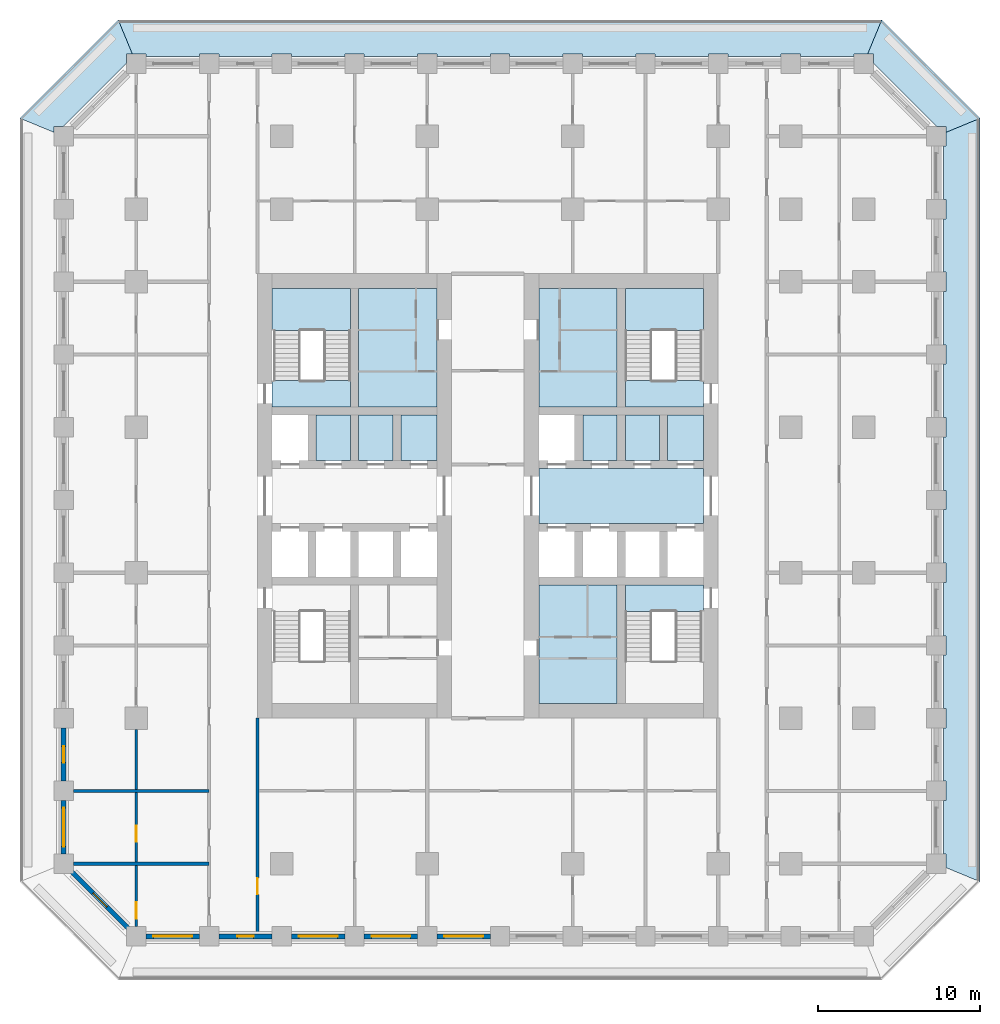
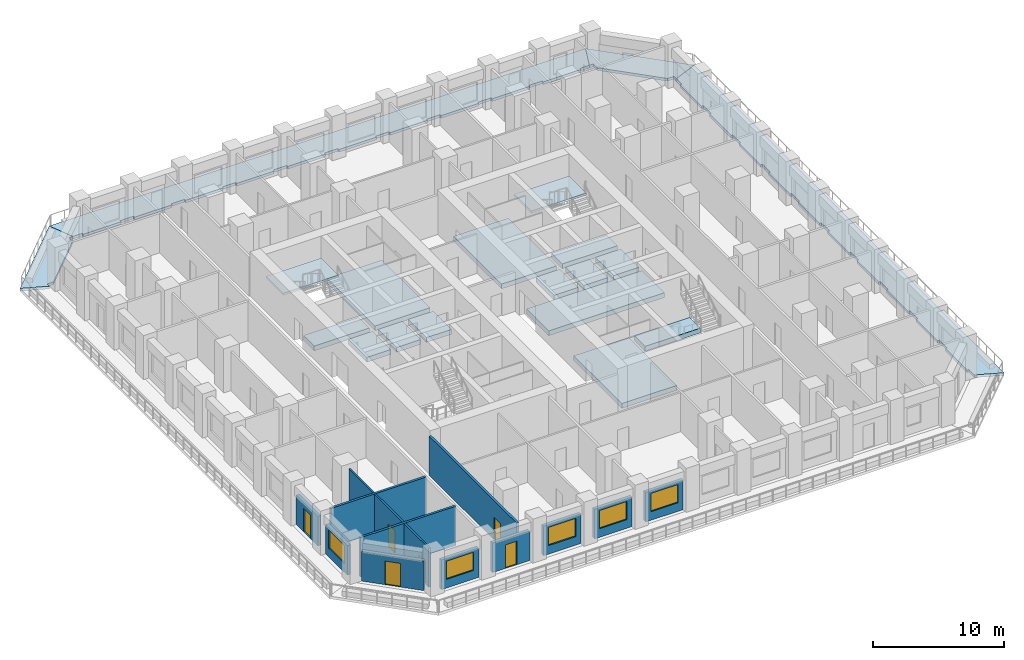
# One storey, part 2 of 18: 19 slabs, 12 walls, 6 doors, 5 windows, 11 openings, 2 elements without a shape of their own.
"""IFC4 building model written with IfcOpenShell, lengths in metres."""

from ifc_helpers import new_model, si_unit, direction, frame, frame_2d, origin, place, context, subcontext, project, spatial, polyline, rectangle, outline, extrude, material, layer, layer_set, type_object, element, fill, aggregate, save


model = new_model("IFC4")

# Units and contexts
model_context = context("Model", 3, precision=1e-05, world=origin(), true_north=direction((0.0, 1.0)))
body_context = subcontext(model_context, "Body", "Model", "MODEL_VIEW")
ifc_project = project(units=[si_unit("LENGTHUNIT", "METRE"), si_unit("AREAUNIT", "SQUARE_METRE"), si_unit("VOLUMEUNIT", "CUBIC_METRE"), si_unit("PLANEANGLEUNIT", "RADIAN"), si_unit("MASSUNIT", "GRAM", prefix="KILO")], contexts=[model_context])

# Site, building, storey
site_placement = place(None, origin())
site = spatial("IfcSite", under=ifc_project, at=site_placement, CompositionType="ELEMENT")
building_placement = place(site_placement, origin())
building = spatial("IfcBuilding", under=site, at=building_placement, Name="Corbel Stack Research Tower", CompositionType="ELEMENT")
storey_placement = place(building_placement, frame((0.0, 0.0, 102.5)))
storey = spatial("IfcBuildingStorey", under=building, at=storey_placement, Name="L23", CompositionType="ELEMENT", Elevation=102.5)

# Slabs
ifc_material_1 = material(Name="Concrete C45/55", Category="concrete")
ifc_layer_1 = layer(ifc_material_1, 0.25)
ifc_layer_set_1 = layer_set([ifc_layer_1], Name="Concrete C45/55")
slab_type_1 = type_object("IfcSlabType", Name="PT balcony slab 250 C45/55", PredefinedType="FLOOR", material=ifc_layer_set_1)
slab_1_placement = place(storey_placement, frame((0.0, 0.0, -0.25)))
element("IfcSlab", 1, at=slab_1_placement, inside=storey, type_object=slab_type_1, Name="Loggia slab L23 E", PredefinedType="FLOOR", context=body_context, shape_type="SweptSolid", body=[
    extrude(outline(polyline([(32.10009765625, 27.24853515625), (32.10009765625, 26.39990234375), (31.949951171875, 26.39990234375), (31.949951171875, 23.10009765625), (32.10009765625, 23.10009765625), (32.10009765625, 21.89990234375), (31.949951171875, 21.89990234375), (31.949951171875, 18.60009765625), (32.10009765625, 18.60009765625), (32.10009765625, 17.39990234375), (31.949951171875, 17.39990234375), (31.949951171875, 14.10009765625), (32.10009765625, 14.10009765625), (32.10009765625, 12.89990234375), (31.949951171875, 12.89990234375), (31.949951171875, 9.60009765625), (32.10009765625, 9.60009765625), (32.10009765625, 8.39990234375), (31.949951171875, 8.39990234375), (31.949951171875, 5.10009765625), (32.10009765625, 5.10009765625), (32.10009765625, 3.89990234375), (31.949951171875, 3.89990234375), (31.949951171875, 0.60009765625), (32.10009765625, 0.60009765625), (32.10009765625, -0.60009765625), (31.949951171875, -0.60009765625), (31.949951171875, -3.89990234375), (32.10009765625, -3.89990234375), (32.10009765625, -5.10009765625), (31.949951171875, -5.10009765625), (31.949951171875, -8.39990234375), (32.10009765625, -8.39990234375), (32.10009765625, -9.60009765625), (31.949951171875, -9.60009765625), (31.949951171875, -12.89990234375), (32.10009765625, -12.89990234375), (32.10009765625, -14.10009765625), (31.949951171875, -14.10009765625), (31.949951171875, -17.39990234375), (32.10009765625, -17.39990234375), (32.10009765625, -18.24853515625), (34.199951171875, -19.118408203125), (34.199951171875, 28.118408203125), (32.10009765625, 27.24853515625)])), origin(), (0.0, 0.0, 1.0), 0.25),
])
slab_2_placement = place(storey_placement, frame((0.0, 0.0, -0.25)))
element("IfcSlab", 2, at=slab_2_placement, inside=storey, type_object=slab_type_1, Name="Loggia slab L23 NE", PredefinedType="FLOOR", context=body_context, shape_type="SweptSolid", body=[
    extrude(outline(polyline([(27.24853515625, 32.10009765625), (27.60009765625, 32.10009765625), (27.60009765625, 31.536376953125), (31.536376953125, 27.60009765625), (32.10009765625, 27.60009765625), (32.10009765625, 27.24853515625), (34.199951171875, 28.118408203125), (28.118408203125, 34.199951171875), (27.24853515625, 32.10009765625)])), origin(), (0.0, 0.0, 1.0), 0.25),
])
slab_3_placement = place(storey_placement, frame((0.0, 0.0, -0.25)))
element("IfcSlab", 3, at=slab_3_placement, inside=storey, type_object=slab_type_1, Name="Loggia slab L23 N", PredefinedType="FLOOR", context=body_context, shape_type="SweptSolid", body=[
    extrude(outline(polyline([(-18.24853515625, 32.10009765625), (-17.39990234375, 32.10009765625), (-17.39990234375, 31.949951171875), (-14.10009765625, 31.949951171875), (-14.10009765625, 32.10009765625), (-12.89990234375, 32.10009765625), (-12.89990234375, 31.949951171875), (-9.60009765625, 31.949951171875), (-9.60009765625, 32.10009765625), (-8.39990234375, 32.10009765625), (-8.39990234375, 31.949951171875), (-5.10009765625, 31.949951171875), (-5.10009765625, 32.10009765625), (-3.89990234375, 32.10009765625), (-3.89990234375, 31.949951171875), (-0.60009765625, 31.949951171875), (-0.60009765625, 32.10009765625), (0.60009765625, 32.10009765625), (0.60009765625, 31.949951171875), (3.89990234375, 31.949951171875), (3.89990234375, 32.10009765625), (5.10009765625, 32.10009765625), (5.10009765625, 31.949951171875), (8.39990234375, 31.949951171875), (8.39990234375, 32.10009765625), (9.60009765625, 32.10009765625), (9.60009765625, 31.949951171875), (12.89990234375, 31.949951171875), (12.89990234375, 32.10009765625), (14.10009765625, 32.10009765625), (14.10009765625, 31.949951171875), (17.39990234375, 31.949951171875), (17.39990234375, 32.10009765625), (18.60009765625, 32.10009765625), (18.60009765625, 31.949951171875), (21.89990234375, 31.949951171875), (21.89990234375, 32.10009765625), (23.10009765625, 32.10009765625), (23.10009765625, 31.949951171875), (26.39990234375, 31.949951171875), (26.39990234375, 32.10009765625), (27.24853515625, 32.10009765625), (28.118408203125, 34.199951171875), (-19.118408203125, 34.199951171875), (-18.24853515625, 32.10009765625)])), origin(), (0.0, 0.0, 1.0), 0.25),
])
slab_4_placement = place(storey_placement, frame((0.0, 0.0, -0.25)))
element("IfcSlab", 4, at=slab_4_placement, inside=storey, type_object=slab_type_1, Name="Loggia slab L23 NW", PredefinedType="FLOOR", context=body_context, shape_type="SweptSolid", body=[
    extrude(outline(polyline([(-23.10009765625, 27.24853515625), (-23.10009765625, 27.60009765625), (-22.536376953125, 27.60009765625), (-18.60009765625, 31.536376953125), (-18.60009765625, 32.10009765625), (-18.24853515625, 32.10009765625), (-19.118408203125, 34.199951171875), (-25.199951171875, 28.118408203125), (-23.10009765625, 27.24853515625)])), origin(), (0.0, 0.0, 1.0), 0.25),
])
ifc_material_2 = material(Name="Concrete C45/55", Category="concrete")
ifc_layer_2 = layer(ifc_material_2, 0.449951171875)
ifc_layer_set_2 = layer_set([ifc_layer_2], Name="Concrete C45/55")
slab_type_2 = type_object("IfcSlabType", Name="PT-450", PredefinedType="FLOOR", material=ifc_layer_set_2)
slab_5_placement = place(storey_placement, frame((0.0, 0.0, -0.449951171875)))
element("IfcSlab", 5, at=slab_5_placement, inside=storey, type_object=slab_type_2, Name="West core floor L23", PredefinedType="FLOOR", context=body_context, shape_type="SweptSolid", body=[
    extrude(outline(polyline([(-6.875, 6.949951171875), (-4.75, 6.949951171875), (-4.75, 9.75), (-6.875, 9.75), (-6.875, 6.949951171875)])), origin(), (0.0, 0.0, 1.0), 0.449951171875),
])
slab_6_placement = place(storey_placement, frame((0.0, 0.0, -0.449951171875)))
element("IfcSlab", 6, at=slab_6_placement, inside=storey, type_object=slab_type_2, Name="West core floor L23", PredefinedType="FLOOR", context=body_context, shape_type="SweptSolid", body=[
    extrude(outline(polyline([(-2.125, 6.949951171875), (-2.125, 9.75), (-4.25, 9.75), (-4.25, 6.949951171875), (-2.125, 6.949951171875)])), origin(), (0.0, 0.0, 1.0), 0.449951171875),
])
slab_7_placement = place(storey_placement, frame((0.0, 0.0, -0.449951171875)))
element("IfcSlab", 7, at=slab_7_placement, inside=storey, type_object=slab_type_2, Name="West core floor L23", PredefinedType="FLOOR", context=body_context, shape_type="SweptSolid", body=[
    extrude(outline(polyline([(0.60009765625, 17.60009765625), (-4.25, 17.60009765625), (-4.25, 10.25), (0.60009765625, 10.25), (0.60009765625, 17.60009765625)])), origin(), (0.0, 0.0, 1.0), 0.449951171875),
])
slab_8_placement = place(storey_placement, frame((0.0, 0.0, -0.449951171875)))
element("IfcSlab", 8, at=slab_8_placement, inside=storey, type_object=slab_type_2, Name="West core floor L23", PredefinedType="FLOOR", context=body_context, shape_type="SweptSolid", body=[
    extrude(outline(polyline([(0.60009765625, 9.75), (-1.625, 9.75), (-1.625, 6.949951171875), (0.60009765625, 6.949951171875), (0.60009765625, 9.75)])), origin(), (0.0, 0.0, 1.0), 0.449951171875),
])
slab_9_placement = place(storey_placement, frame((0.0, 0.0, -0.449951171875)))
element("IfcSlab", 9, at=slab_9_placement, inside=storey, type_object=slab_type_2, Name="East core floor L23", PredefinedType="FLOOR", context=body_context, shape_type="SweptSolid", body=[
    extrude(outline(polyline([(11.75, -0.75), (6.89990234375, -0.75), (6.89990234375, -8.10009765625), (11.75, -8.10009765625), (11.75, -0.75)])), origin(), (0.0, 0.0, 1.0), 0.449951171875),
])
slab_10_placement = place(storey_placement, frame((0.0, 0.0, -0.449951171875)))
element("IfcSlab", 10, at=slab_10_placement, inside=storey, type_object=slab_type_2, Name="East core floor L23", PredefinedType="FLOOR", context=body_context, shape_type="SweptSolid", body=[
    extrude(outline(polyline([(6.89990234375, 6.449951171875), (6.89990234375, 3.050048828125), (17.10009765625, 3.050048828125), (17.10009765625, 6.449951171875), (6.89990234375, 6.449951171875)])), origin(), (0.0, 0.0, 1.0), 0.449951171875),
])
slab_11_placement = place(storey_placement, frame((0.0, 0.0, -0.449951171875)))
element("IfcSlab", 11, at=slab_11_placement, inside=storey, type_object=slab_type_2, Name="East core floor L23", PredefinedType="FLOOR", context=body_context, shape_type="SweptSolid", body=[
    extrude(outline(polyline([(6.89990234375, 17.60009765625), (6.89990234375, 10.25), (11.75, 10.25), (11.75, 17.60009765625), (6.89990234375, 17.60009765625)])), origin(), (0.0, 0.0, 1.0), 0.449951171875),
])
slab_12_placement = place(storey_placement, frame((0.0, 0.0, -0.449951171875)))
element("IfcSlab", 12, at=slab_12_placement, inside=storey, type_object=slab_type_2, Name="East core floor L23", PredefinedType="FLOOR", context=body_context, shape_type="SweptSolid", body=[
    extrude(outline(polyline([(9.625, 6.949951171875), (11.75, 6.949951171875), (11.75, 9.75), (9.625, 9.75), (9.625, 6.949951171875)])), origin(), (0.0, 0.0, 1.0), 0.449951171875),
])
slab_13_placement = place(storey_placement, frame((0.0, 0.0, -0.449951171875)))
element("IfcSlab", 13, at=slab_13_placement, inside=storey, type_object=slab_type_2, Name="East core floor L23", PredefinedType="FLOOR", context=body_context, shape_type="SweptSolid", body=[
    extrude(outline(polyline([(14.375, 6.949951171875), (14.375, 9.75), (12.25, 9.75), (12.25, 6.949951171875), (14.375, 6.949951171875)])), origin(), (0.0, 0.0, 1.0), 0.449951171875),
])
slab_14_placement = place(storey_placement, frame((0.0, 0.0, -0.449951171875)))
element("IfcSlab", 14, at=slab_14_placement, inside=storey, type_object=slab_type_2, Name="East core floor L23", PredefinedType="FLOOR", context=body_context, shape_type="SweptSolid", body=[
    extrude(outline(polyline([(17.10009765625, 6.949951171875), (17.10009765625, 9.75), (14.875, 9.75), (14.875, 6.949951171875), (17.10009765625, 6.949951171875)])), origin(), (0.0, 0.0, 1.0), 0.449951171875),
])
slab_15_placement = place(storey_placement, frame((0.0, 0.0, -0.449951171875)))
element("IfcSlab", 15, at=slab_15_placement, inside=storey, type_object=slab_type_2, Name="Stair floor landing ST-W2", PredefinedType="FLOOR", context=body_context, shape_type="SweptSolid", body=[
    extrude(outline(polyline([(-9.60009765625, 10.25), (-4.75, 10.25), (-4.75, 11.89990234375), (-9.60009765625, 11.89990234375), (-9.60009765625, 10.25)])), origin(), (0.0, 0.0, 1.0), 0.449951171875),
])
slab_16_placement = place(storey_placement, frame((0.0, 0.0, -0.449951171875)))
element("IfcSlab", 16, at=slab_16_placement, inside=storey, type_object=slab_type_2, Name="Stair floor landing ST-E1", PredefinedType="FLOOR", context=body_context, shape_type="SweptSolid", body=[
    extrude(outline(polyline([(12.25, -2.39990234375), (17.10009765625, -2.39990234375), (17.10009765625, -0.75), (12.25, -0.75), (12.25, -2.39990234375)])), origin(), (0.0, 0.0, 1.0), 0.449951171875),
])
slab_17_placement = place(storey_placement, frame((0.0, 0.0, -0.449951171875)))
element("IfcSlab", 17, at=slab_17_placement, inside=storey, type_object=slab_type_2, Name="Stair floor landing ST-E2", PredefinedType="FLOOR", context=body_context, shape_type="SweptSolid", body=[
    extrude(outline(polyline([(12.25, 10.25), (17.10009765625, 10.25), (17.10009765625, 11.89990234375), (12.25, 11.89990234375), (12.25, 10.25)])), origin(), (0.0, 0.0, 1.0), 0.449951171875),
])

# Stair, slab
ifc_material_3 = material(Name="Concrete C40/50", Category="concrete")
stair_type = type_object("IfcStairType", Name="Exit stair 24 risers", PredefinedType="HALF_TURN_STAIR", material=ifc_material_3)
stair_1_placement = place(storey_placement, origin())
stair_1 = element("IfcStair", 18, at=stair_1_placement, inside=storey, type_object=stair_type, Name="L23 Exit stair ST-W2", PredefinedType="HALF_TURN_STAIR")
ifc_material_4 = material(Name="Concrete C40/50", Category="concrete")
ifc_layer_3 = layer(ifc_material_4, 0.199951171875)
ifc_layer_set_3 = layer_set([ifc_layer_3], Name="Concrete C40/50")
slab_type_3 = type_object("IfcSlabType", Name="Stair landing 200 C40/50", PredefinedType="LANDING", material=ifc_layer_set_3)
slab_18_placement = place(storey_placement, frame((0.0, 0.0, 1.85009765625)))
slab_18 = element("IfcSlab", 19, at=slab_18_placement, type_object=slab_type_3, Name="ST-W2 landing 1", PredefinedType="LANDING", context=body_context, shape_type="SweptSolid", body=[
    extrude(outline(polyline([(-9.60009765625, 14.97998046875), (-9.60009765625, 17.60009765625), (-4.75, 17.60009765625), (-4.75, 14.97998046875), (-9.60009765625, 14.97998046875)])), origin(), (0.0, 0.0, 1.0), 0.199951171875),
])
aggregate(stair_1, [slab_18])

stair_2_placement = place(storey_placement, origin())
stair_2 = element("IfcStair", 20, at=stair_2_placement, inside=storey, type_object=stair_type, Name="L23 Exit stair ST-E2", PredefinedType="HALF_TURN_STAIR")
slab_19_placement = place(storey_placement, frame((0.0, 0.0, 1.85009765625)))
slab_19 = element("IfcSlab", 21, at=slab_19_placement, type_object=slab_type_3, Name="ST-E2 landing 1", PredefinedType="LANDING", context=body_context, shape_type="SweptSolid", body=[
    extrude(outline(polyline([(12.25, 14.97998046875), (12.25, 17.60009765625), (17.10009765625, 17.60009765625), (17.10009765625, 14.97998046875), (12.25, 14.97998046875)])), origin(), (0.0, 0.0, 1.0), 0.199951171875),
])
aggregate(stair_2, [slab_19])

# Wall, opening, door
ifc_material_5 = material(Name="Fire-rated gypsum board partition on steel studs", Category="steel")
ifc_layer_4 = layer(ifc_material_5, 0.199951171875)
ifc_layer_set_4 = layer_set([ifc_layer_4], Name="Fire-rated gypsum board partition on steel studs")
wall_type_1 = type_object("IfcWallType", Name="Fire-rated partition 200 EI 60", PredefinedType="PARTITIONING", material=ifc_layer_set_4)
wall_1_placement = place(storey_placement, frame((-10.5, -9.0, 0.0), z_axis=(0.0, 0.0, 1.0), x_axis=(0.0, -1.0, 0.0)))
wall_1 = element("IfcWall", 22, at=wall_1_placement, inside=storey, type_object=wall_type_1, Name="Partition L23-008", PredefinedType="PARTITIONING", context=body_context, shape_type="SweptSolid", body=[
    extrude(rectangle(XDim=13.35009765625, YDim=0.199951171875, at=frame_2d((6.675048828125, 0.0))), origin(), (0.0, 0.0, 1.0), 3.64990234375),
])
opening_1_placement = place(wall_1_placement, frame((9.89990234375, 0.0, 0.0)))
opening_1 = element("IfcOpeningElement", 23, at=opening_1_placement, cuts=wall_1, Name="Opening B3V2-022", PredefinedType="OPENING", context=body_context, shape_type="SweptSolid", body=[
    extrude(rectangle(XDim=1.0, YDim=2.10009765625, at=frame_2d((0.5, 1.050048828125))), frame((0.0, 0.10986328125, 0.0), z_axis=(0.0, -1.0, 0.0), x_axis=(1.0, 0.0, 0.0)), (0.0, 0.0, 1.0), 0.219970703125),
])
ifc_material_6 = material(Name="Painted steel fire door", Category="steel")
door_type_1 = type_object("IfcDoorType", Name="Fire door FD30S 1000 x 2100", OperationType="NOTDEFINED", PredefinedType="DOOR", material=ifc_material_6)
door_1_placement = place(opening_1_placement, origin())
door_1 = element("IfcDoor", 24, at=door_1_placement, inside=storey, type_object=door_type_1, Name="Door B3V2-022", OperationType="SINGLE_SWING_RIGHT", OverallHeight=2.10009765625, OverallWidth=1.0, PredefinedType="DOOR", context=body_context, shape_type="SweptSolid", body=[
    extrude(rectangle(XDim=1.0, YDim=2.10009765625, at=frame_2d((0.5, 1.050048828125))), frame((0.0, 0.02490234375, 0.0), z_axis=(0.0, -1.0, 0.0), x_axis=(1.0, 0.0, 0.0)), (0.0, 0.0, 1.0), 0.050048828125),
])
fill(opening_1, door_1)

# Walls
for number, where, z_axis, x_axis, name in (
    (25, (-21.89990234375, -18.0, 0.0), (0.0, 0.0, 1.0), (1.0, 0.0, 0.0), "Partition L23-031"),
    (26, (-21.89990234375, -13.5, 0.0), (0.0, 0.0, 1.0), (1.0, 0.0, 0.0), "Partition L23-035"),
):
    element("IfcWall", number, at=place(storey_placement, frame(where, z_axis=z_axis, x_axis=x_axis)), inside=storey, type_object=wall_type_1, Name=name, PredefinedType="PARTITIONING", context=body_context, shape_type="SweptSolid", body=[
        extrude(rectangle(XDim=8.39990234375, YDim=0.199951171875, at=frame_2d((4.199951171875, 0.0))), origin(), (0.0, 0.0, 1.0), 3.64990234375),
    ])

# Wall, openings, doors
ifc_material_7 = material(Name="Gypsum board partition on steel studs", Category="steel")
ifc_layer_5 = layer(ifc_material_7, 0.14990234375)
ifc_layer_set_5 = layer_set([ifc_layer_5], Name="Gypsum board partition on steel studs")
wall_type_2 = type_object("IfcWallType", Name="Partition 150", PredefinedType="PARTITIONING", material=ifc_layer_set_5)
wall_2_placement = place(storey_placement, frame((-18.0, -21.89990234375, 0.0), z_axis=(0.0, 0.0, 1.0), x_axis=(0.0, 1.0, 0.0)))
wall_2 = element("IfcWall", 27, at=wall_2_placement, inside=storey, type_object=wall_type_2, Name="Partition L23-001", PredefinedType="PARTITIONING", context=body_context, shape_type="SweptSolid", body=[
    extrude(rectangle(XDim=12.199951171875, YDim=0.14990234375, at=frame_2d((6.10009765625, 0.0))), origin(), (0.0, 0.0, 1.0), 3.64990234375),
])
opening_2_placement = place(wall_2_placement, frame((0.5, 0.0, 0.0)))
opening_2 = element("IfcOpeningElement", 28, at=opening_2_placement, cuts=wall_2, Name="Opening B3V2-001", PredefinedType="OPENING", context=body_context, shape_type="SweptSolid", body=[
    extrude(rectangle(XDim=1.0, YDim=2.10009765625, at=frame_2d((0.5, 1.050048828125))), frame((0.0, 0.0849609375, 0.0), z_axis=(0.0, -1.0, 0.0), x_axis=(1.0, 0.0, 0.0)), (0.0, 0.0, 1.0), 0.169921875),
])
opening_3_placement = place(wall_2_placement, frame((5.25, 0.0, 0.0)))
opening_3 = element("IfcOpeningElement", 29, at=opening_3_placement, cuts=wall_2, Name="Opening B3V2-002", PredefinedType="OPENING", context=body_context, shape_type="SweptSolid", body=[
    extrude(rectangle(XDim=1.0, YDim=2.10009765625, at=frame_2d((0.5, 1.050048828125))), frame((0.0, 0.0849609375, 0.0), z_axis=(0.0, -1.0, 0.0), x_axis=(1.0, 0.0, 0.0)), (0.0, 0.0, 1.0), 0.169921875),
])
ifc_material_8 = material(Name="Painted timber door", Category="wood")
door_type_2 = type_object("IfcDoorType", Name="Single door 1000 x 2100", OperationType="NOTDEFINED", PredefinedType="DOOR", material=ifc_material_8)
door_2_placement = place(opening_2_placement, origin())
door_2 = element("IfcDoor", 30, at=door_2_placement, inside=storey, type_object=door_type_2, Name="Door B3V2-001", OperationType="SINGLE_SWING_LEFT", OverallHeight=2.10009765625, OverallWidth=1.0, PredefinedType="DOOR", context=body_context, shape_type="SweptSolid", body=[
    extrude(rectangle(XDim=1.0, YDim=2.10009765625, at=frame_2d((0.5, 1.050048828125))), frame((0.0, 0.02490234375, 0.0), z_axis=(0.0, -1.0, 0.0), x_axis=(1.0, 0.0, 0.0)), (0.0, 0.0, 1.0), 0.050048828125),
])
fill(opening_2, door_2)
door_3_placement = place(opening_3_placement, origin())
door_3 = element("IfcDoor", 31, at=door_3_placement, inside=storey, type_object=door_type_2, Name="Door B3V2-002", OperationType="SINGLE_SWING_LEFT", OverallHeight=2.10009765625, OverallWidth=1.0, PredefinedType="DOOR", context=body_context, shape_type="SweptSolid", body=[
    extrude(rectangle(XDim=1.0, YDim=2.10009765625, at=frame_2d((0.5, 1.050048828125))), frame((0.0, 0.02490234375, 0.0), z_axis=(0.0, -1.0, 0.0), x_axis=(1.0, 0.0, 0.0)), (0.0, 0.0, 1.0), 0.050048828125),
])
fill(opening_3, door_3)

# Wall, opening, window
ifc_material_9 = material(Name="Concrete C45/55", Category="concrete")
ifc_layer_6 = layer(ifc_material_9, 0.300048828125)
ifc_layer_set_6 = layer_set([ifc_layer_6], Name="Concrete C45/55")
wall_type_3 = type_object("IfcWallType", Name="Terracotta-faced concrete wall 300", PredefinedType="SOLIDWALL", material=ifc_layer_set_6)
wall_3_placement = place(storey_placement, frame((-14.10009765625, -22.5, 0.0), z_axis=(0.0, 0.0, 1.0), x_axis=(-1.0, 0.0, 0.0)))
wall_3 = element("IfcWall", 32, at=wall_3_placement, inside=storey, type_object=wall_type_3, Name="Facade wall L23 S01", PredefinedType="SOLIDWALL", context=body_context, shape_type="SweptSolid", body=[
    extrude(rectangle(XDim=3.2998046875, YDim=0.300048828125, at=frame_2d((1.64990234375, 0.0))), origin(), (0.0, 0.0, 1.0), 2.75),
])
opening_4_placement = place(wall_3_placement, frame((0.449951171875, 0.0, 0.800048828125)))
opening_4 = element("IfcOpeningElement", 33, at=opening_4_placement, cuts=wall_3, Name="Opening W1", PredefinedType="OPENING", context=body_context, shape_type="SweptSolid", body=[
    extrude(rectangle(XDim=2.39990234375, YDim=1.699951171875, at=frame_2d((1.199951171875, 0.85009765625))), frame((0.0, 0.159912109375, 0.0), z_axis=(0.0, -1.0, 0.0), x_axis=(1.0, 0.0, 0.0)), (0.0, 0.0, 1.0), 0.320068359375),
])
ifc_material_10 = material(Name="Aluminium frame, clear double glazing", Category="aluminium")
window_type = type_object("IfcWindowType", Name="Window W1 2400 x 1700", PartitioningType="SINGLE_PANEL", PredefinedType="WINDOW", material=ifc_material_10)
window_1_placement = place(opening_4_placement, origin())
window_1 = element("IfcWindow", 34, at=window_1_placement, inside=storey, type_object=window_type, Name="Window W1 L23 S01", OverallHeight=1.699951171875, OverallWidth=2.39990234375, PartitioningType="SINGLE_PANEL", PredefinedType="WINDOW", context=body_context, shape_type="SweptSolid", body=[
    extrude(rectangle(XDim=2.39990234375, YDim=1.699951171875, at=frame_2d((1.199951171875, 0.85009765625))), frame((0.0, 0.030029296875, 0.0), z_axis=(0.0, -1.0, 0.0), x_axis=(1.0, 0.0, 0.0)), (0.0, 0.0, 1.0), 0.06005859375),
])
fill(opening_4, window_1)

# Wall, opening, door
wall_4_placement = place(storey_placement, frame((-9.60009765625, -22.5, 0.0), z_axis=(0.0, 0.0, 1.0), x_axis=(-1.0, 0.0, 0.0)))
wall_4 = element("IfcWall", 35, at=wall_4_placement, inside=storey, type_object=wall_type_3, Name="Facade wall L23 S02", PredefinedType="SOLIDWALL", context=body_context, shape_type="SweptSolid", body=[
    extrude(rectangle(XDim=3.2998046875, YDim=0.300048828125, at=frame_2d((1.64990234375, 0.0))), origin(), (0.0, 0.0, 1.0), 2.75),
])
opening_5_placement = place(wall_4_placement, frame((1.14990234375, 0.0, 0.0)))
opening_5 = element("IfcOpeningElement", 36, at=opening_5_placement, cuts=wall_4, Name="Opening L23-B01", PredefinedType="OPENING", context=body_context, shape_type="SweptSolid", body=[
    extrude(rectangle(XDim=1.0, YDim=2.199951171875, at=frame_2d((0.5, 1.10009765625))), frame((0.0, 0.159912109375, 0.0), z_axis=(0.0, -1.0, 0.0), x_axis=(1.0, 0.0, 0.0)), (0.0, 0.0, 1.0), 0.320068359375),
])
ifc_material_11 = material(Name="Aluminium frame, clear double glazing", Category="aluminium")
door_type_3 = type_object("IfcDoorType", Name="Balcony door BD1 1000 x 2200", OperationType="NOTDEFINED", PredefinedType="DOOR", material=ifc_material_11)
door_4_placement = place(opening_5_placement, origin())
door_4 = element("IfcDoor", 37, at=door_4_placement, inside=storey, type_object=door_type_3, Name="Balcony door L23-B01", OperationType="SINGLE_SWING_LEFT", OverallHeight=2.199951171875, OverallWidth=1.0, PredefinedType="DOOR", context=body_context, shape_type="SweptSolid", body=[
    extrude(rectangle(XDim=1.0, YDim=2.199951171875, at=frame_2d((0.5, 1.10009765625))), frame((0.0, 0.02490234375, 0.0), z_axis=(0.0, -1.0, 0.0), x_axis=(1.0, 0.0, 0.0)), (0.0, 0.0, 1.0), 0.050048828125),
])
fill(opening_5, door_4)

# Wall, opening, window
wall_5_placement = place(storey_placement, frame((-5.10009765625, -22.5, 0.0), z_axis=(0.0, 0.0, 1.0), x_axis=(-1.0, 0.0, 0.0)))
wall_5 = element("IfcWall", 38, at=wall_5_placement, inside=storey, type_object=wall_type_3, Name="Facade wall L23 S03", PredefinedType="SOLIDWALL", context=body_context, shape_type="SweptSolid", body=[
    extrude(rectangle(XDim=3.2998046875, YDim=0.300048828125, at=frame_2d((1.64990234375, 0.0))), origin(), (0.0, 0.0, 1.0), 2.75),
])
opening_6_placement = place(wall_5_placement, frame((0.449951171875, 0.0, 0.800048828125)))
opening_6 = element("IfcOpeningElement", 39, at=opening_6_placement, cuts=wall_5, Name="Opening W1", PredefinedType="OPENING", context=body_context, shape_type="SweptSolid", body=[
    extrude(rectangle(XDim=2.39990234375, YDim=1.699951171875, at=frame_2d((1.199951171875, 0.85009765625))), frame((0.0, 0.159912109375, 0.0), z_axis=(0.0, -1.0, 0.0), x_axis=(1.0, 0.0, 0.0)), (0.0, 0.0, 1.0), 0.320068359375),
])
window_2_placement = place(opening_6_placement, origin())
window_2 = element("IfcWindow", 40, at=window_2_placement, inside=storey, type_object=window_type, Name="Window W1 L23 S03", OverallHeight=1.699951171875, OverallWidth=2.39990234375, PartitioningType="SINGLE_PANEL", PredefinedType="WINDOW", context=body_context, shape_type="SweptSolid", body=[
    extrude(rectangle(XDim=2.39990234375, YDim=1.699951171875, at=frame_2d((1.199951171875, 0.85009765625))), frame((0.0, 0.030029296875, 0.0), z_axis=(0.0, -1.0, 0.0), x_axis=(1.0, 0.0, 0.0)), (0.0, 0.0, 1.0), 0.06005859375),
])
fill(opening_6, window_2)

wall_6_placement = place(storey_placement, frame((-0.60009765625, -22.5, 0.0), z_axis=(0.0, 0.0, 1.0), x_axis=(-1.0, 0.0, 0.0)))
wall_6 = element("IfcWall", 41, at=wall_6_placement, inside=storey, type_object=wall_type_3, Name="Facade wall L23 S04", PredefinedType="SOLIDWALL", context=body_context, shape_type="SweptSolid", body=[
    extrude(rectangle(XDim=3.2998046875, YDim=0.300048828125, at=frame_2d((1.64990234375, 0.0))), origin(), (0.0, 0.0, 1.0), 2.75),
])
opening_7_placement = place(wall_6_placement, frame((0.449951171875, 0.0, 0.800048828125)))
opening_7 = element("IfcOpeningElement", 42, at=opening_7_placement, cuts=wall_6, Name="Opening W1", PredefinedType="OPENING", context=body_context, shape_type="SweptSolid", body=[
    extrude(rectangle(XDim=2.39990234375, YDim=1.699951171875, at=frame_2d((1.199951171875, 0.85009765625))), frame((0.0, 0.159912109375, 0.0), z_axis=(0.0, -1.0, 0.0), x_axis=(1.0, 0.0, 0.0)), (0.0, 0.0, 1.0), 0.320068359375),
])
window_3_placement = place(opening_7_placement, origin())
window_3 = element("IfcWindow", 43, at=window_3_placement, inside=storey, type_object=window_type, Name="Window W1 L23 S04", OverallHeight=1.699951171875, OverallWidth=2.39990234375, PartitioningType="SINGLE_PANEL", PredefinedType="WINDOW", context=body_context, shape_type="SweptSolid", body=[
    extrude(rectangle(XDim=2.39990234375, YDim=1.699951171875, at=frame_2d((1.199951171875, 0.85009765625))), frame((0.0, 0.030029296875, 0.0), z_axis=(0.0, -1.0, 0.0), x_axis=(1.0, 0.0, 0.0)), (0.0, 0.0, 1.0), 0.06005859375),
])
fill(opening_7, window_3)

wall_7_placement = place(storey_placement, frame((3.89990234375, -22.5, 0.0), z_axis=(0.0, 0.0, 1.0), x_axis=(-1.0, 0.0, 0.0)))
wall_7 = element("IfcWall", 44, at=wall_7_placement, inside=storey, type_object=wall_type_3, Name="Facade wall L23 S05", PredefinedType="SOLIDWALL", context=body_context, shape_type="SweptSolid", body=[
    extrude(rectangle(XDim=3.2998046875, YDim=0.300048828125, at=frame_2d((1.64990234375, 0.0))), origin(), (0.0, 0.0, 1.0), 2.75),
])
opening_8_placement = place(wall_7_placement, frame((0.449951171875, 0.0, 0.800048828125)))
opening_8 = element("IfcOpeningElement", 45, at=opening_8_placement, cuts=wall_7, Name="Opening W1", PredefinedType="OPENING", context=body_context, shape_type="SweptSolid", body=[
    extrude(rectangle(XDim=2.39990234375, YDim=1.699951171875, at=frame_2d((1.199951171875, 0.85009765625))), frame((0.0, 0.159912109375, 0.0), z_axis=(0.0, -1.0, 0.0), x_axis=(1.0, 0.0, 0.0)), (0.0, 0.0, 1.0), 0.320068359375),
])
window_4_placement = place(opening_8_placement, origin())
window_4 = element("IfcWindow", 46, at=window_4_placement, inside=storey, type_object=window_type, Name="Window W1 L23 S05", OverallHeight=1.699951171875, OverallWidth=2.39990234375, PartitioningType="SINGLE_PANEL", PredefinedType="WINDOW", context=body_context, shape_type="SweptSolid", body=[
    extrude(rectangle(XDim=2.39990234375, YDim=1.699951171875, at=frame_2d((1.199951171875, 0.85009765625))), frame((0.0, 0.030029296875, 0.0), z_axis=(0.0, -1.0, 0.0), x_axis=(1.0, 0.0, 0.0)), (0.0, 0.0, 1.0), 0.06005859375),
])
fill(opening_8, window_4)

# Wall, opening, door
wall_8_placement = place(storey_placement, frame((-22.5, -12.89990234375, 0.0), z_axis=(0.0, 0.0, 1.0), x_axis=(0.0, 1.0, 0.0)))
wall_8 = element("IfcWall", 47, at=wall_8_placement, inside=storey, type_object=wall_type_3, Name="Facade wall L23 W09", PredefinedType="SOLIDWALL", context=body_context, shape_type="SweptSolid", body=[
    extrude(rectangle(XDim=3.2998046875, YDim=0.300048828125, at=frame_2d((1.64990234375, 0.0))), origin(), (0.0, 0.0, 1.0), 2.75),
])
opening_9_placement = place(wall_8_placement, frame((1.14990234375, 0.0, 0.0)))
opening_9 = element("IfcOpeningElement", 48, at=opening_9_placement, cuts=wall_8, Name="Opening L23-B11", PredefinedType="OPENING", context=body_context, shape_type="SweptSolid", body=[
    extrude(rectangle(XDim=1.0, YDim=2.199951171875, at=frame_2d((0.5, 1.10009765625))), frame((0.0, 0.159912109375, 0.0), z_axis=(0.0, -1.0, 0.0), x_axis=(1.0, 0.0, 0.0)), (0.0, 0.0, 1.0), 0.320068359375),
])
door_5_placement = place(opening_9_placement, origin())
door_5 = element("IfcDoor", 49, at=door_5_placement, inside=storey, type_object=door_type_3, Name="Balcony door L23-B11", OperationType="SINGLE_SWING_RIGHT", OverallHeight=2.199951171875, OverallWidth=1.0, PredefinedType="DOOR", context=body_context, shape_type="SweptSolid", body=[
    extrude(rectangle(XDim=1.0, YDim=2.199951171875, at=frame_2d((0.5, 1.10009765625))), frame((0.0, 0.02490234375, 0.0), z_axis=(0.0, -1.0, 0.0), x_axis=(1.0, 0.0, 0.0)), (0.0, 0.0, 1.0), 0.050048828125),
])
fill(opening_9, door_5)

# Wall, opening, window
wall_9_placement = place(storey_placement, frame((-22.5, -17.39990234375, 0.0), z_axis=(0.0, 0.0, 1.0), x_axis=(0.0, 1.0, 0.0)))
wall_9 = element("IfcWall", 50, at=wall_9_placement, inside=storey, type_object=wall_type_3, Name="Facade wall L23 W10", PredefinedType="SOLIDWALL", context=body_context, shape_type="SweptSolid", body=[
    extrude(rectangle(XDim=3.2998046875, YDim=0.300048828125, at=frame_2d((1.64990234375, 0.0))), origin(), (0.0, 0.0, 1.0), 2.75),
])
opening_10_placement = place(wall_9_placement, frame((0.449951171875, 0.0, 0.800048828125)))
opening_10 = element("IfcOpeningElement", 51, at=opening_10_placement, cuts=wall_9, Name="Opening W1", PredefinedType="OPENING", context=body_context, shape_type="SweptSolid", body=[
    extrude(rectangle(XDim=2.39990234375, YDim=1.699951171875, at=frame_2d((1.199951171875, 0.85009765625))), frame((0.0, 0.159912109375, 0.0), z_axis=(0.0, -1.0, 0.0), x_axis=(1.0, 0.0, 0.0)), (0.0, 0.0, 1.0), 0.320068359375),
])
window_5_placement = place(opening_10_placement, origin())
window_5 = element("IfcWindow", 52, at=window_5_placement, inside=storey, type_object=window_type, Name="Window W1 L23 W10", OverallHeight=1.699951171875, OverallWidth=2.39990234375, PartitioningType="SINGLE_PANEL", PredefinedType="WINDOW", context=body_context, shape_type="SweptSolid", body=[
    extrude(rectangle(XDim=2.39990234375, YDim=1.699951171875, at=frame_2d((1.199951171875, 0.85009765625))), frame((0.0, 0.030029296875, 0.0), z_axis=(0.0, -1.0, 0.0), x_axis=(1.0, 0.0, 0.0)), (0.0, 0.0, 1.0), 0.06005859375),
])
fill(opening_10, window_5)

# Wall, opening, door
wall_10_placement = place(storey_placement, frame((-18.493896484375, -22.006103515625, 0.0), z_axis=(0.0, 0.0, 1.0), x_axis=(-0.707106781187, 0.707106781187, 0.0)))
wall_10 = element("IfcWall", 53, at=wall_10_placement, inside=storey, type_object=wall_type_3, Name="Facade wall L23 SW01", PredefinedType="SOLIDWALL", context=body_context, shape_type="SweptSolid", body=[
    extrude(rectangle(XDim=4.967041015625, YDim=0.300048828125, at=frame_2d((2.4833984375, 0.0))), origin(), (0.0, 0.0, 1.0), 2.75),
])
opening_11_placement = place(wall_10_placement, frame((1.883544921875, 0.0, 0.0)))
opening_11 = element("IfcOpeningElement", 54, at=opening_11_placement, cuts=wall_10, Name="Opening L23-B12", PredefinedType="OPENING", context=body_context, shape_type="SweptSolid", body=[
    extrude(rectangle(XDim=1.199951171875, YDim=2.199951171875, at=frame_2d((0.60009765625, 1.10009765625))), frame((0.0, 0.159912109375, 0.0), z_axis=(0.0, -1.0, 0.0), x_axis=(1.0, 0.0, 0.0)), (0.0, 0.0, 1.0), 0.320068359375),
])
ifc_material_12 = material(Name="Aluminium frame, clear double glazing", Category="aluminium")
door_type_4 = type_object("IfcDoorType", Name="Balcony door BD2 1200 x 2200", OperationType="NOTDEFINED", PredefinedType="DOOR", material=ifc_material_12)
door_6_placement = place(opening_11_placement, origin())
door_6 = element("IfcDoor", 55, at=door_6_placement, inside=storey, type_object=door_type_4, Name="Balcony door L23-B12", OperationType="SINGLE_SWING_RIGHT", OverallHeight=2.199951171875, OverallWidth=1.199951171875, PredefinedType="DOOR", context=body_context, shape_type="SweptSolid", body=[
    extrude(rectangle(XDim=1.199951171875, YDim=2.199951171875, at=frame_2d((0.60009765625, 1.10009765625))), frame((0.0, 0.02490234375, 0.0), z_axis=(0.0, -1.0, 0.0), x_axis=(1.0, 0.0, 0.0)), (0.0, 0.0, 1.0), 0.050048828125),
])
fill(opening_11, door_6)

save(model, "model.ifc")
